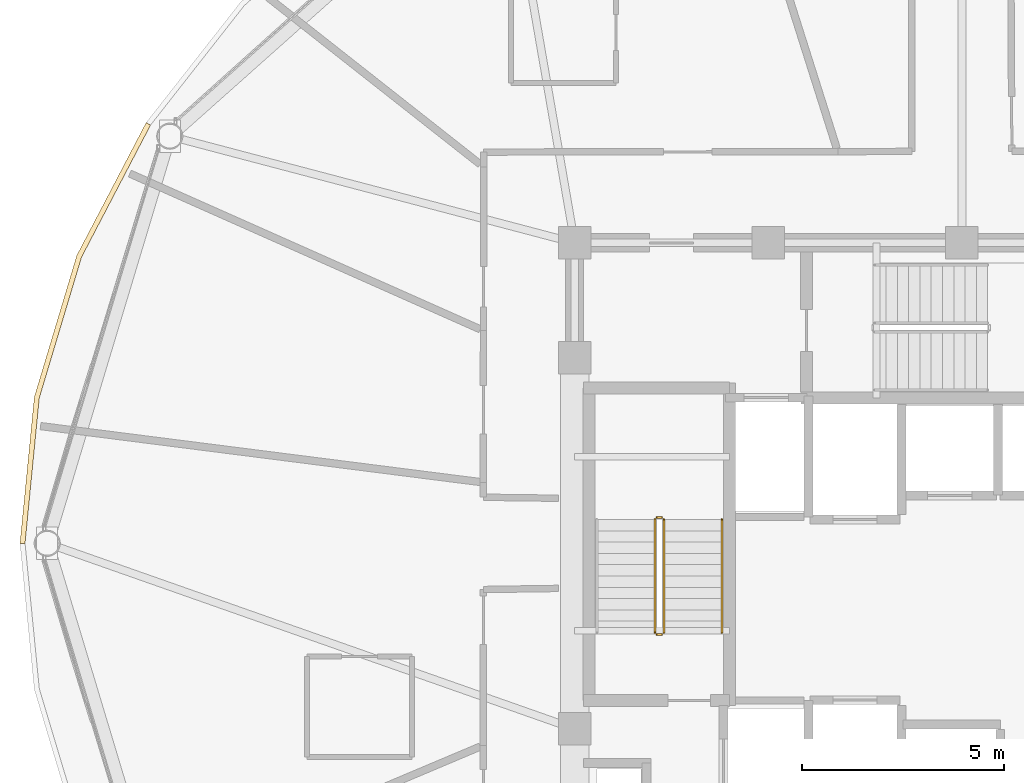
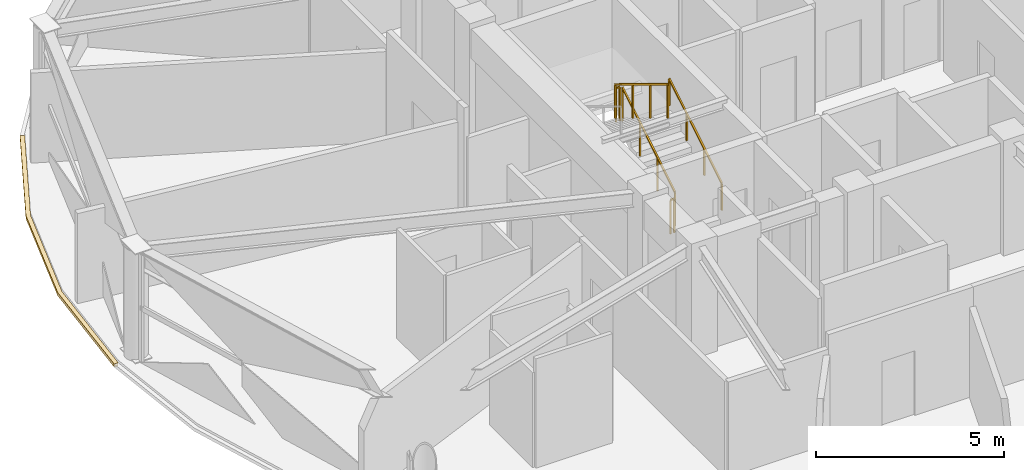
# One storey, part 28 of 30: 5 railings, 1 covering.
"""IFC4 building model written with IfcOpenShell, lengths in metres."""

import ifcopenshell
import ifcopenshell.guid

model = None  # the IFC model being written
_history = None  # IfcOwnerHistory: only IFC2X3 demands one
_inside = {}  # id of a spatial element -> (the spatial element, [elements in it])
_under = {}  # id of a project, library or spatial element -> (it, [spatial elements below it])
_declared = {}  # id of a project -> (the project, [libraries it declares])
_typed = {}  # id of a type object -> (the type object, [elements of that type])
_made_of = {}  # id of a material, layer set ... -> (it, [elements and type objects made of it])


def new_model(schema):
    """Start an empty IFC model of exactly this schema.

    Asked for "IFC4X3", IfcOpenShell would pick the latest addendum, in which some entities
    have other attributes; the version numbers below select the first issue.
    IFC2X3 requires an IfcOwnerHistory on every rooted entity: one is made here for all.
    """
    global model, _history
    if schema == "IFC4X3":
        model = ifcopenshell.file(schema_version=(4, 3, 0, 0))
    else:
        model = ifcopenshell.file(schema=schema)
    _inside.clear()
    _under.clear()
    _declared.clear()
    _typed.clear()
    _made_of.clear()
    _history = None
    if model.schema == "IFC2X3":
        org = make("IfcOrganization", Name="unknown")
        user = make(
            "IfcPersonAndOrganization",
            ThePerson=make("IfcPerson", FamilyName="unknown"),
            TheOrganization=org,
        )
        app = make(
            "IfcApplication",
            ApplicationDeveloper=org,
            Version="unknown",
            ApplicationFullName="unknown",
            ApplicationIdentifier="unknown",
        )
        _history = make(
            "IfcOwnerHistory",
            OwningUser=user,
            OwningApplication=app,
            ChangeAction="ADDED",
            CreationDate=0,
        )
    return model


def make(cls, **values):
    """One entity of the class cls with the attributes given. An attribute that is None is left unset."""
    return model.create_entity(
        cls, **{name: value for name, value in values.items() if value is not None}
    )


def rooted(cls, **values):
    """An entity with a GlobalId (a new one), such as an element, a storey or a relation."""
    return make(cls, GlobalId=ifcopenshell.guid.new(), OwnerHistory=_history, **values)


def si_unit(unit_type, name, prefix=None):
    """IfcSIUnit, for example si_unit("LENGTHUNIT", "METRE", prefix="MILLI")."""
    return make("IfcSIUnit", UnitType=unit_type, Prefix=prefix, Name=name)


def assignment(units):
    """IfcUnitAssignment: the units of a project."""
    return None if units is None else make("IfcUnitAssignment", Units=units)


def point(xyz):
    """IfcCartesianPoint."""
    return None if xyz is None else make("IfcCartesianPoint", Coordinates=xyz)


def direction(xyz):
    """IfcDirection."""
    return None if xyz is None else make("IfcDirection", DirectionRatios=xyz)


def frame(location, z_axis=None, x_axis=None):
    """IfcAxis2Placement3D, a coordinate frame: its origin and axes. An axis left out is left unset."""
    return make(
        "IfcAxis2Placement3D",
        Location=point(location),
        Axis=direction(z_axis),
        RefDirection=direction(x_axis),
    )


def frame_2d(location, x_axis=None):
    """IfcAxis2Placement2D, a coordinate frame in the plane: its origin and x axis."""
    return make(
        "IfcAxis2Placement2D", Location=point(location), RefDirection=direction(x_axis)
    )


def origin():
    """The frame at (0, 0, 0) with its axes left unset."""
    return frame((0.0, 0.0, 0.0))


def origin_2d():
    """The frame at (0, 0) in the plane with its x axis left unset."""
    return frame_2d((0.0, 0.0))


def place(relative_to, where):
    """IfcLocalPlacement: puts the frame where relative to a parent placement (None: the world)."""
    return make(
        "IfcLocalPlacement", PlacementRelTo=relative_to, RelativePlacement=where
    )


def context(
    kind, dimensions, precision=None, world=None, true_north=None, identifier=None
):
    """IfcGeometricRepresentationContext, for example the 3D "Model" context."""
    return make(
        "IfcGeometricRepresentationContext",
        ContextIdentifier=identifier,
        ContextType=kind,
        CoordinateSpaceDimension=dimensions,
        Precision=precision,
        WorldCoordinateSystem=world,
        TrueNorth=true_north,
    )


def subcontext(parent, identifier, kind, view, scale=None):
    """IfcGeometricRepresentationSubContext, for example "Body" below "Model"."""
    return make(
        "IfcGeometricRepresentationSubContext",
        ContextIdentifier=identifier,
        ContextType=kind,
        ParentContext=parent,
        TargetScale=scale,
        TargetView=view,
    )


def project(units=None, contexts=None):
    """IfcProject with its units and contexts."""
    return rooted(
        "IfcProject",
        Name="project",
        RepresentationContexts=contexts,
        UnitsInContext=assignment(units),
    )


def spatial(cls, under=None, at=None, **own):
    """A site, building, storey or space (cls), placed at a placement, below another one or the project."""
    s = rooted(cls, ObjectPlacement=at, **own)
    if under is not None:
        _under.setdefault(under.id(), (under, []))[1].append(s)
    return s


def polyline(points):
    """IfcPolyline through the points."""
    return make("IfcPolyline", Points=[point(p) for p in points])


def profile(cls, at=None, kind="AREA", **sizes):
    """A parametric profile (cls). Its sizes go by their IFC names, for example OverallWidth=200.0."""
    return make(cls, ProfileType=kind, Position=at, **sizes)


def rectangle(**sizes):
    """IfcRectangleProfileDef."""
    return profile("IfcRectangleProfileDef", **sizes)


def outline(outer, holes=None, kind="AREA"):
    """IfcArbitraryClosedProfileDef: a profile drawn as a closed curve; with holes, ...WithVoids."""
    if holes is None:
        return make("IfcArbitraryClosedProfileDef", ProfileType=kind, OuterCurve=outer)
    return make(
        "IfcArbitraryProfileDefWithVoids",
        ProfileType=kind,
        OuterCurve=outer,
        InnerCurves=holes,
    )


def extrude(swept, where, along, depth):
    """IfcExtrudedAreaSolid: the profile swept, set in the frame where, extruded along a direction by depth."""
    return make(
        "IfcExtrudedAreaSolid",
        SweptArea=swept,
        Position=where,
        ExtrudedDirection=direction(along),
        Depth=depth,
    )


def shape(context_of_items, identifier, shape_type, items):
    """IfcShapeRepresentation: the items that make up one representation, for example the "Body"."""
    return make(
        "IfcShapeRepresentation",
        ContextOfItems=context_of_items,
        RepresentationIdentifier=identifier,
        RepresentationType=shape_type,
        Items=items,
    )


def material(Name=None, Category=None):
    """IfcMaterial."""
    return make("IfcMaterial", Name=Name, Category=Category)


def layer(
    of_material, thickness, ventilated=None, Name=None, Category=None, Priority=None
):
    """IfcMaterialLayer: one layer of a wall or slab, of a material (None: an air gap)."""
    return make(
        "IfcMaterialLayer",
        Material=of_material,
        LayerThickness=thickness,
        IsVentilated=ventilated,
        Name=Name,
        Category=Category,
        Priority=Priority,
    )


def layer_set(layers, Name=None):
    """IfcMaterialLayerSet."""
    return make("IfcMaterialLayerSet", MaterialLayers=layers, LayerSetName=Name)


def made_of(thing, what):
    """Note that an element or type object is made of a material, layer set ...; save() writes the relation."""
    if what is not None:
        _made_of.setdefault(what.id(), (what, []))[1].append(thing)
    return thing


def type_object(cls, material=None, **own):
    """A type object (cls), such as IfcWallType, which elements share."""
    return made_of(rooted(cls, **own), material)


def element(
    cls,
    number,
    at=None,
    inside=None,
    cuts=None,
    type_object=None,
    material=None,
    context=None,
    identifier="Body",
    shape_type=None,
    held_by="IfcProductDefinitionShape",
    body=None,
    shapes=None,
    **own,
):
    """One element of the class cls, such as IfcWall. Its Tag is "e" and its number.

    at: its placement. inside: the storey or other place that contains it. cuts: it is an
    opening in that element (IfcRelVoidsElement). A single representation is given by context,
    identifier, shape_type and body (its items); several are given by shapes. held_by: the class
    of the entity that holds the representations. save() writes the other relations.
    """
    e = rooted(cls, Tag="e%d" % number, ObjectPlacement=at, **own)
    if body is not None:
        shapes = [shape(context, identifier, shape_type, body)]
    if shapes is not None:
        e.Representation = make(held_by, Representations=shapes)
    if inside is not None:
        _inside.setdefault(inside.id(), (inside, []))[1].append(e)
    if cuts is not None:
        rooted(
            "IfcRelVoidsElement", RelatingBuildingElement=cuts, RelatedOpeningElement=e
        )
    if type_object is not None:
        _typed.setdefault(type_object.id(), (type_object, []))[1].append(e)
    return made_of(e, material)


def aggregate(whole, parts):
    """IfcRelAggregates: a whole, such as a stair, and the parts it consists of."""
    return rooted("IfcRelAggregates", RelatingObject=whole, RelatedObjects=parts)


def save(model, path):
    """Write the relations noted so far, then the file.

    IfcRelAggregates (storeys below a building ...), IfcRelContainedInSpatialStructure (elements
    in a storey), IfcRelDefinesByType, IfcRelAssociatesMaterial and IfcRelDeclares: one each for
    every whole, place, type object, material and project.
    """
    for whole, parts in _under.values():
        aggregate(whole, parts)
    for where, things in _inside.values():
        rooted(
            "IfcRelContainedInSpatialStructure",
            RelatedElements=things,
            RelatingStructure=where,
        )
    for kind, things in _typed.values():
        rooted("IfcRelDefinesByType", RelatedObjects=things, RelatingType=kind)
    for what, things in _made_of.values():
        rooted("IfcRelAssociatesMaterial", RelatedObjects=things, RelatingMaterial=what)
    for by, libraries in _declared.values():
        rooted("IfcRelDeclares", RelatingContext=by, RelatedDefinitions=libraries)
    model.write(path)


model = new_model("IFC4")

# Units and contexts
model_context = context("Model", 3, precision=1e-05, world=origin(), true_north=direction((0.0, 1.0)))
body_context = subcontext(model_context, "Body", "Model", "MODEL_VIEW")
ifc_project = project(units=[si_unit("LENGTHUNIT", "METRE"), si_unit("AREAUNIT", "SQUARE_METRE"), si_unit("VOLUMEUNIT", "CUBIC_METRE"), si_unit("PLANEANGLEUNIT", "RADIAN"), si_unit("MASSUNIT", "GRAM", prefix="KILO")], contexts=[model_context])

# Site, building, storey
site_placement = place(None, origin())
site = spatial("IfcSite", under=ifc_project, at=site_placement, CompositionType="ELEMENT")
building_placement = place(site_placement, origin())
building = spatial("IfcBuilding", under=site, at=building_placement, Name="Vantalir Tower", CompositionType="ELEMENT")
storey_placement = place(building_placement, frame((0.0, 0.0, 193.64990234375)))
storey = spatial("IfcBuildingStorey", under=building, at=storey_placement, Name="L48", CompositionType="ELEMENT", Elevation=193.64990234375)

# Covering
ifc_material_1 = material(Name="Anodised champagne aluminium sill fascia", Category="aluminium")
ifc_layer = layer(ifc_material_1, 0.125)
ifc_layer_set = layer_set([ifc_layer], Name="Anodised champagne aluminium sill fascia")
covering_type = type_object("IfcCoveringType", Name="COV-SLAB-FASCIA-125", PredefinedType="CLADDING", material=ifc_layer_set)
covering_placement = place(storey_placement, frame((0.0, 0.0, -0.179931640625)))
element("IfcCovering", 1, at=covering_placement, inside=storey, type_object=covering_type, Name="L48 Perimeter Slab-Edge Sill Fascia 06", PredefinedType="CLADDING", context=body_context, shape_type="SweptSolid", body=[
    extrude(outline(polyline([(11.277099609375, 35.430908203125), (9.556884765625, 32.135986328125), (8.50390625, 28.623046875), (8.14892578125, 25.0), (8.27392578125, 25.0), (8.626953125, 28.60107421875), (9.675048828125, 32.093017578125), (11.385986328125, 35.368896484375), (11.277099609375, 35.430908203125)])), origin(), (0.0, 0.0, 1.0), 0.10498046875),
])

# Railings
ifc_material_2 = material(Name="Anodised aluminium and stainless steel guard", Category="steel")
railing_type_1 = type_object("IfcRailingType", Name="RAL-GUARD-1120", PredefinedType="GUARDRAIL", material=ifc_material_2)
railing_1_placement = place(storey_placement, frame((24.110107421875, 22.7900390625, 0.170654296875)))
element("IfcRailing", 2, at=railing_1_placement, inside=storey, type_object=railing_type_1, Name="L48 ST1 stair guard 1", PredefinedType="GUARDRAIL", context=body_context, shape_type="SweptSolid", body=[
    extrude(rectangle(XDim=0.048095703125, YDim=0.048095703125, at=origin_2d()), frame((0.0, 0.0, 1.09619140625), z_axis=(0.0, 0.854202870247, 0.519939858505), x_axis=(-1.0, 0.0, 0.0)), (0.0, 0.0, 1.0), 3.278076171875),
    extrude(rectangle(XDim=0.0419921875, YDim=0.0419921875, at=origin_2d()), origin(), (0.0, 0.0, 1.0), 1.072021484375),
    extrude(rectangle(XDim=0.0419921875, YDim=0.0419921875, at=origin_2d()), frame((0.0, 0.933349609375, 0.568115234375)), (0.0, 0.0, 1.0), 1.072021484375),
    extrude(rectangle(XDim=0.0419921875, YDim=0.0419921875, at=origin_2d()), frame((0.0, 1.86669921875, 1.13623046875)), (0.0, 0.0, 1.0), 1.072021484375),
    extrude(rectangle(XDim=0.0419921875, YDim=0.0419921875, at=origin_2d()), frame((0.0, 2.800048828125, 1.704345703125)), (0.0, 0.0, 1.0), 1.072021484375),
])
railing_2_placement = place(storey_placement, frame((24.06005859375, 25.639892578125, 1.875)))
element("IfcRailing", 3, at=railing_2_placement, inside=storey, type_object=railing_type_1, Name="L48 ST1 stair guard 2", PredefinedType="GUARDRAIL", context=body_context, shape_type="SweptSolid", body=[
    extrude(rectangle(XDim=0.048095703125, YDim=0.048095703125, at=origin_2d()), frame((0.0, 0.0, 1.09619140625), z_axis=(-1.0, 0.0, 0.0), x_axis=(0.0, -1.0, 0.0)), (0.0, 0.0, 1.0), 0.1201171875),
    extrude(rectangle(XDim=0.0419921875, YDim=0.0419921875, at=origin_2d()), origin(), (0.0, 0.0, 1.0), 1.072021484375),
    extrude(rectangle(XDim=0.0419921875, YDim=0.0419921875, at=origin_2d()), frame((-0.1201171875, 0.0, 0.0)), (0.0, 0.0, 1.0), 1.072021484375),
])
railing_3_placement = place(storey_placement, frame((23.889892578125, 25.590087890625, 2.045654296875)))
element("IfcRailing", 4, at=railing_3_placement, inside=storey, type_object=railing_type_1, Name="L48 ST1 stair guard 3", PredefinedType="GUARDRAIL", context=body_context, shape_type="SweptSolid", body=[
    extrude(rectangle(XDim=0.048095703125, YDim=0.048095703125, at=origin_2d()), frame((0.0, 0.0, 1.09619140625), z_axis=(0.0, -0.854202870247, 0.519939858505), x_axis=(1.0, 0.0, 0.0)), (0.0, 0.0, 1.0), 3.278076171875),
    extrude(rectangle(XDim=0.0419921875, YDim=0.0419921875, at=origin_2d()), origin(), (0.0, 0.0, 1.0), 1.072021484375),
    extrude(rectangle(XDim=0.0419921875, YDim=0.0419921875, at=origin_2d()), frame((0.0, -0.933349609375, 0.568115234375)), (0.0, 0.0, 1.0), 1.072021484375),
    extrude(rectangle(XDim=0.0419921875, YDim=0.0419921875, at=origin_2d()), frame((0.0, -1.86669921875, 1.13623046875)), (0.0, 0.0, 1.0), 1.072021484375),
    extrude(rectangle(XDim=0.0419921875, YDim=0.0419921875, at=origin_2d()), frame((0.0, -2.800048828125, 1.704345703125)), (0.0, 0.0, 1.0), 1.072021484375),
])
railing_4_placement = place(storey_placement, frame((24.06005859375, 22.739990234375, 0.0)))
element("IfcRailing", 5, at=railing_4_placement, inside=storey, type_object=railing_type_1, Name="L48 ST1 stair guard 4", PredefinedType="GUARDRAIL", context=body_context, shape_type="SweptSolid", body=[
    extrude(rectangle(XDim=0.048095703125, YDim=0.048095703125, at=origin_2d()), frame((0.0, 0.0, 1.09619140625), z_axis=(-1.0, 0.0, 0.0), x_axis=(0.0, -1.0, 0.0)), (0.0, 0.0, 1.0), 0.1201171875),
    extrude(rectangle(XDim=0.0419921875, YDim=0.0419921875, at=origin_2d()), origin(), (0.0, 0.0, 1.0), 1.072021484375),
    extrude(rectangle(XDim=0.0419921875, YDim=0.0419921875, at=origin_2d()), frame((-0.1201171875, 0.0, 0.0)), (0.0, 0.0, 1.0), 1.072021484375),
])
ifc_material_3 = material(Name="Brushed stainless steel tubular handrail", Category="steel")
railing_type_2 = type_object("IfcRailingType", Name="RAL-HANDRAIL-900", PredefinedType="HANDRAIL", material=ifc_material_3)
railing_5_placement = place(storey_placement, frame((25.550048828125, 22.7900390625, 0.170654296875)))
element("IfcRailing", 6, at=railing_5_placement, inside=storey, type_object=railing_type_2, Name="L48 ST1 stair handrail 1", PredefinedType="HANDRAIL", context=body_context, shape_type="SweptSolid", body=[
    extrude(rectangle(XDim=0.048095703125, YDim=0.048095703125, at=origin_2d()), frame((0.0, 0.0, 0.8759765625), z_axis=(0.0, 0.854202870247, 0.519939858505), x_axis=(-1.0, 0.0, 0.0)), (0.0, 0.0, 1.0), 3.278076171875),
    extrude(rectangle(XDim=0.0419921875, YDim=0.0419921875, at=origin_2d()), origin(), (0.0, 0.0, 1.0), 0.851806640625),
    extrude(rectangle(XDim=0.0419921875, YDim=0.0419921875, at=origin_2d()), frame((0.0, 0.933349609375, 0.568115234375)), (0.0, 0.0, 1.0), 0.851806640625),
    extrude(rectangle(XDim=0.0419921875, YDim=0.0419921875, at=origin_2d()), frame((0.0, 1.86669921875, 1.13623046875)), (0.0, 0.0, 1.0), 0.851806640625),
    extrude(rectangle(XDim=0.0419921875, YDim=0.0419921875, at=origin_2d()), frame((0.0, 2.800048828125, 1.704345703125)), (0.0, 0.0, 1.0), 0.851806640625),
])

save(model, "model.ifc")
